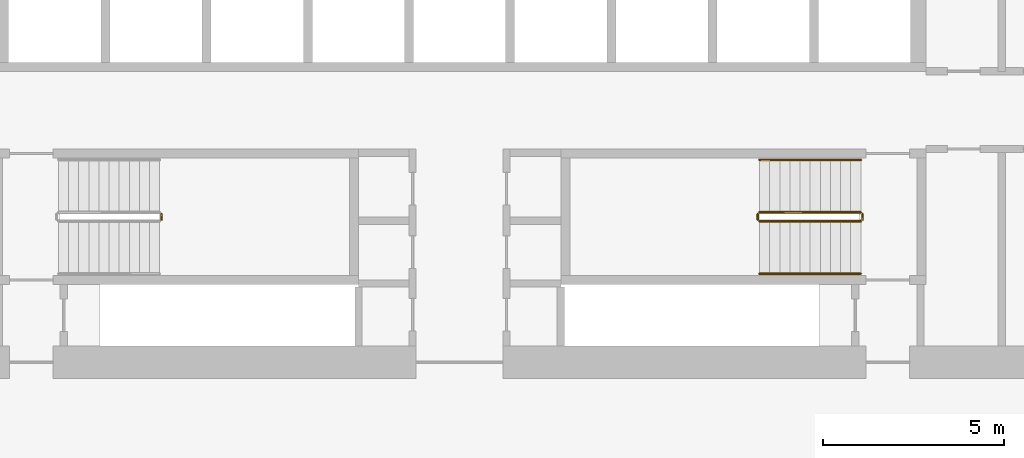
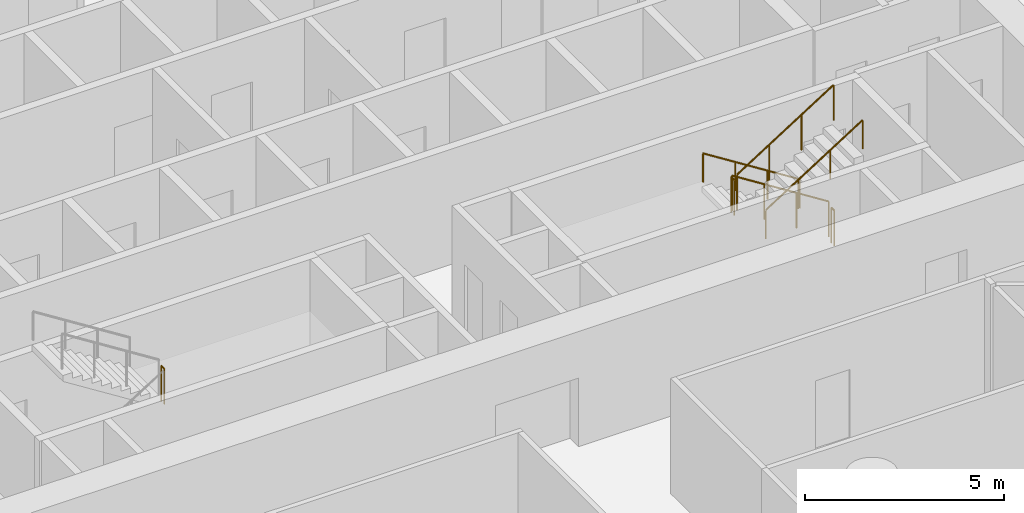
# One storey, part 13 of 18: 7 railings.
"""IFC4 building model written with IfcOpenShell, lengths in metres."""

from ifc_helpers import new_model, si_unit, direction, frame, origin, origin_2d, place, context, subcontext, project, spatial, circle, extrude, material, type_object, element, save


model = new_model("IFC4")

# Units and contexts
model_context = context("Model", 3, precision=1e-05, world=origin(), true_north=direction((0.0, 1.0)))
body_context = subcontext(model_context, "Body", "Model", "MODEL_VIEW")
ifc_project = project(units=[si_unit("LENGTHUNIT", "METRE"), si_unit("AREAUNIT", "SQUARE_METRE"), si_unit("VOLUMEUNIT", "CUBIC_METRE"), si_unit("PLANEANGLEUNIT", "RADIAN"), si_unit("MASSUNIT", "GRAM", prefix="KILO")], contexts=[model_context])

# Site, building, storey
site_placement = place(None, origin())
site = spatial("IfcSite", under=ifc_project, at=site_placement, CompositionType="ELEMENT")
building_placement = place(site_placement, origin())
building = spatial("IfcBuilding", under=site, at=building_placement, Name="Dhurran Vertical Campus", CompositionType="ELEMENT")
storey_placement = place(building_placement, frame((0.0, 0.0, 104.699951171875)))
storey = spatial("IfcBuildingStorey", under=building, at=storey_placement, Name="L25", CompositionType="ELEMENT", Elevation=104.699951171875)

# Railings
ifc_material_1 = material(Name="Stainless steel balustrade", Category="steel")
railing_type_1 = type_object("IfcRailingType", Name="co-RL-GUARD-1100", PredefinedType="GUARDRAIL", material=ifc_material_1)
railing_1_placement = place(storey_placement, frame((-8.25, -9.10009765625, 1.949951171875)))
element("IfcRailing", 1, at=railing_1_placement, inside=storey, type_object=railing_type_1, Name="L25 ST3 stair guard 2", PredefinedType="GUARDRAIL", context=body_context, shape_type="SweptSolid", body=[
    extrude(circle(Radius=0.02392578125, at=origin_2d()), frame((0.0, 0.0, 1.076171875), z_axis=(0.0, 1.0, 0.0), x_axis=(-1.0, 0.0, 0.0)), (0.0, 0.0, 1.0), 0.150146484375),
    extrude(circle(Radius=0.02099609375, at=origin_2d()), origin(), (0.0, 0.0, 1.0), 1.052001953125),
    extrude(circle(Radius=0.02099609375, at=origin_2d()), frame((0.0, 0.150146484375, 0.0)), (0.0, 0.0, 1.0), 1.052001953125),
])
railing_2_placement = place(storey_placement, frame((11.10009765625, -8.89990234375, 0.17724609375)))
element("IfcRailing", 2, at=railing_2_placement, inside=storey, type_object=railing_type_1, Name="L25 ST4 stair guard 1", PredefinedType="GUARDRAIL", context=body_context, shape_type="SweptSolid", body=[
    extrude(circle(Radius=0.02392578125, at=origin_2d()), frame((0.0, 0.0, 1.076171875), z_axis=(-0.844908973607, 0.0, 0.534910110503), x_axis=(0.0, -1.0, 0.0)), (0.0, 0.0, 1.0), 3.31396484375),
    extrude(circle(Radius=0.02099609375, at=origin_2d()), origin(), (0.0, 0.0, 1.0), 1.052001953125),
    extrude(circle(Radius=0.02099609375, at=origin_2d()), frame((-0.933349609375, 0.0, 0.5908203125)), (0.0, 0.0, 1.0), 1.052001953125),
    extrude(circle(Radius=0.02099609375, at=origin_2d()), frame((-1.86669921875, 0.0, 1.181884765625)), (0.0, 0.0, 1.0), 1.052001953125),
    extrude(circle(Radius=0.02099609375, at=origin_2d()), frame((-2.800048828125, 0.0, 1.772705078125)), (0.0, 0.0, 1.0), 1.052001953125),
])
railing_3_placement = place(storey_placement, frame((8.25, -8.949951171875, 1.949951171875)))
element("IfcRailing", 3, at=railing_3_placement, inside=storey, type_object=railing_type_1, Name="L25 ST4 stair guard 2", PredefinedType="GUARDRAIL", context=body_context, shape_type="SweptSolid", body=[
    extrude(circle(Radius=0.02392578125, at=origin_2d()), frame((0.0, 0.0, 1.076171875), z_axis=(0.0, -1.0, 0.0), x_axis=(1.0, 0.0, 0.0)), (0.0, 0.0, 1.0), 0.150146484375),
    extrude(circle(Radius=0.02099609375, at=origin_2d()), origin(), (0.0, 0.0, 1.0), 1.052001953125),
    extrude(circle(Radius=0.02099609375, at=origin_2d()), frame((0.0, -0.150146484375, 0.0)), (0.0, 0.0, 1.0), 1.052001953125),
])
railing_4_placement = place(storey_placement, frame((8.300048828125, -9.14990234375, 2.12744140625)))
element("IfcRailing", 4, at=railing_4_placement, inside=storey, type_object=railing_type_1, Name="L25 ST4 stair guard 3", PredefinedType="GUARDRAIL", context=body_context, shape_type="SweptSolid", body=[
    extrude(circle(Radius=0.02392578125, at=origin_2d()), frame((0.0, 0.0, 1.076171875), z_axis=(0.844908973607, 0.0, 0.534910110503), x_axis=(0.0, 1.0, 0.0)), (0.0, 0.0, 1.0), 3.31396484375),
    extrude(circle(Radius=0.02099609375, at=origin_2d()), origin(), (0.0, 0.0, 1.0), 1.052001953125),
    extrude(circle(Radius=0.02099609375, at=origin_2d()), frame((0.933349609375, 0.0, 0.5908203125)), (0.0, 0.0, 1.0), 1.052001953125),
    extrude(circle(Radius=0.02099609375, at=origin_2d()), frame((1.86669921875, 0.0, 1.181884765625)), (0.0, 0.0, 1.0), 1.052001953125),
    extrude(circle(Radius=0.02099609375, at=origin_2d()), frame((2.800048828125, 0.0, 1.772705078125)), (0.0, 0.0, 1.0), 1.052001953125),
])
railing_5_placement = place(storey_placement, frame((11.14990234375, -8.949951171875, 0.0)))
element("IfcRailing", 5, at=railing_5_placement, inside=storey, type_object=railing_type_1, Name="L25 ST4 stair guard 4", PredefinedType="GUARDRAIL", context=body_context, shape_type="SweptSolid", body=[
    extrude(circle(Radius=0.02392578125, at=origin_2d()), frame((0.0, 0.0, 1.076171875), z_axis=(0.0, -1.0, 0.0), x_axis=(1.0, 0.0, 0.0)), (0.0, 0.0, 1.0), 0.150146484375),
    extrude(circle(Radius=0.02099609375, at=origin_2d()), origin(), (0.0, 0.0, 1.0), 1.052001953125),
    extrude(circle(Radius=0.02099609375, at=origin_2d()), frame((0.0, -0.150146484375, 0.0)), (0.0, 0.0, 1.0), 1.052001953125),
])
ifc_material_2 = material(Name="Stainless steel handrail", Category="steel")
railing_type_2 = type_object("IfcRailingType", Name="co-RL-HANDRAIL-900", PredefinedType="HANDRAIL", material=ifc_material_2)
railing_6_placement = place(storey_placement, frame((11.10009765625, -7.449951171875, 0.17724609375)))
element("IfcRailing", 6, at=railing_6_placement, inside=storey, type_object=railing_type_2, Name="L25 ST4 stair handrail 1", PredefinedType="HANDRAIL", context=body_context, shape_type="SweptSolid", body=[
    extrude(circle(Radius=0.02392578125, at=origin_2d()), frame((0.0, 0.0, 0.8759765625), z_axis=(-0.844908973607, 0.0, 0.534910110503), x_axis=(0.0, -1.0, 0.0)), (0.0, 0.0, 1.0), 3.31396484375),
    extrude(circle(Radius=0.02099609375, at=origin_2d()), origin(), (0.0, 0.0, 1.0), 0.851806640625),
    extrude(circle(Radius=0.02099609375, at=origin_2d()), frame((-0.933349609375, 0.0, 0.5908203125)), (0.0, 0.0, 1.0), 0.851806640625),
    extrude(circle(Radius=0.02099609375, at=origin_2d()), frame((-1.86669921875, 0.0, 1.181884765625)), (0.0, 0.0, 1.0), 0.851806640625),
    extrude(circle(Radius=0.02099609375, at=origin_2d()), frame((-2.800048828125, 0.0, 1.772705078125)), (0.0, 0.0, 1.0), 0.851806640625),
])
railing_7_placement = place(storey_placement, frame((8.300048828125, -10.60009765625, 2.12744140625)))
element("IfcRailing", 7, at=railing_7_placement, inside=storey, type_object=railing_type_2, Name="L25 ST4 stair handrail 2", PredefinedType="HANDRAIL", context=body_context, shape_type="SweptSolid", body=[
    extrude(circle(Radius=0.02392578125, at=origin_2d()), frame((0.0, 0.0, 0.8759765625), z_axis=(0.844908973607, 0.0, 0.534910110503), x_axis=(0.0, 1.0, 0.0)), (0.0, 0.0, 1.0), 3.31396484375),
    extrude(circle(Radius=0.02099609375, at=origin_2d()), origin(), (0.0, 0.0, 1.0), 0.851806640625),
    extrude(circle(Radius=0.02099609375, at=origin_2d()), frame((0.933349609375, 0.0, 0.5908203125)), (0.0, 0.0, 1.0), 0.851806640625),
    extrude(circle(Radius=0.02099609375, at=origin_2d()), frame((1.86669921875, 0.0, 1.181884765625)), (0.0, 0.0, 1.0), 0.851806640625),
    extrude(circle(Radius=0.02099609375, at=origin_2d()), frame((2.800048828125, 0.0, 1.772705078125)), (0.0, 0.0, 1.0), 0.851806640625),
])

save(model, "model.ifc")
